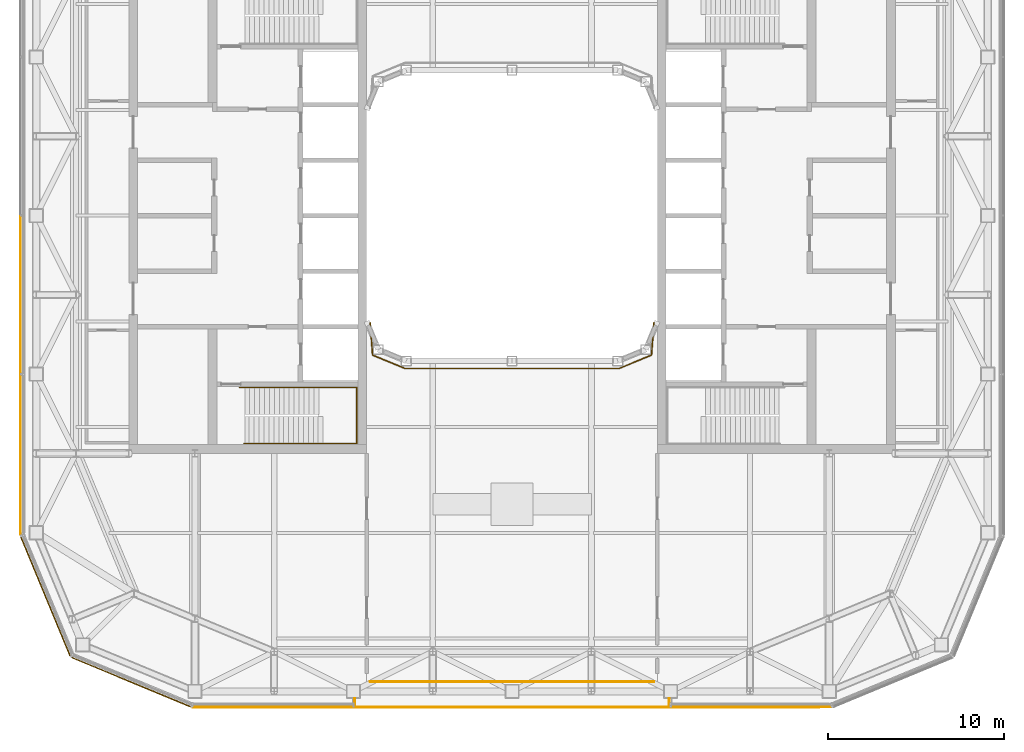
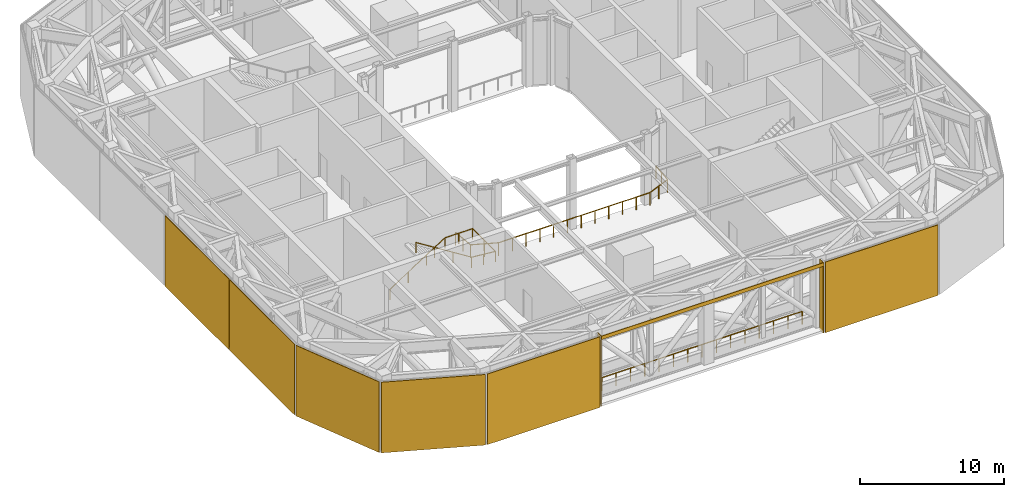
# One storey, part 18 of 21: 9 coverings, 3 railings.
"""IFC4 building model written with IfcOpenShell, lengths in metres."""

from ifc_helpers import new_model, si_unit, direction, frame, origin, origin_2d, place, context, subcontext, project, spatial, rectangle, circle, extrude, material, layer, layer_set, type_object, element, save


model = new_model("IFC4")

# Units and contexts
model_context = context("Model", 3, precision=1e-05, world=origin(), true_north=direction((0.0, 1.0)))
body_context = subcontext(model_context, "Body", "Model", "MODEL_VIEW")
ifc_project = project(units=[si_unit("LENGTHUNIT", "METRE"), si_unit("AREAUNIT", "SQUARE_METRE"), si_unit("VOLUMEUNIT", "CUBIC_METRE"), si_unit("PLANEANGLEUNIT", "RADIAN"), si_unit("MASSUNIT", "GRAM", prefix="KILO")], contexts=[model_context])

# Site, building, storey
site_placement = place(None, origin())
site = spatial("IfcSite", under=ifc_project, at=site_placement, CompositionType="ELEMENT")
building_placement = place(site_placement, origin())
building = spatial("IfcBuilding", under=site, at=building_placement, Name="Siwar Civic Tower", CompositionType="ELEMENT")
storey_placement = place(building_placement, frame((0.0, 0.0, 278.199951171875)))
storey = spatial("IfcBuildingStorey", under=building, at=storey_placement, Name="L60", CompositionType="ELEMENT", Elevation=278.199951171875)

# Railings
ifc_material_1 = material(Name="Stainless steel", Category="steel")
railing_type_1 = type_object("IfcRailingType", Name="CORE-STAIR-HANDRAIL", PredefinedType="HANDRAIL", material=ifc_material_1)
railing_1_placement = place(storey_placement, frame((-15.449951171875, -9.758056640625, 0.176513671875)))
element("IfcRailing", 1, at=railing_1_placement, inside=storey, type_object=railing_type_1, Name="Stair handrail ST2", PredefinedType="HANDRAIL", context=body_context, shape_type="SweptSolid", body=[
    extrude(circle(Radius=0.02001953125, at=origin_2d()), frame((0.0, 0.0, 0.8798828125), z_axis=(0.843278542751, 0.0, 0.537476789579), x_axis=(0.0, 1.0, 0.0)), (0.0, 0.0, 1.0), 5.253173828125),
    extrude(circle(Radius=0.02001953125, at=origin_2d()), frame((4.429931640625, 0.0, 3.703369140625), z_axis=(1.0, 0.0, 0.0), x_axis=(0.0, 1.0, 0.0)), (0.0, 0.0, 1.0), 2.2119140625),
    extrude(circle(Radius=0.02001953125, at=origin_2d()), frame((6.641845703125, 0.0, 3.703369140625), z_axis=(0.0, -1.0, 0.0), x_axis=(1.0, 0.0, 0.0)), (0.0, 0.0, 1.0), 3.183837890625),
    extrude(circle(Radius=0.02001953125, at=origin_2d()), frame((6.641845703125, -3.183837890625, 3.703369140625), z_axis=(-0.995765067396, 0.0, 0.091934381781), x_axis=(0.0, -1.0, 0.0)), (0.0, 0.0, 1.0), 1.919921875),
    extrude(circle(Radius=0.02001953125, at=origin_2d()), frame((4.72998046875, -3.183837890625, 3.8798828125), z_axis=(-0.845997938375, 0.0, 0.533186166611), x_axis=(0.0, -1.0, 0.0)), (0.0, 0.0, 1.0), 5.29541015625),
    extrude(circle(Radius=0.02001953125, at=origin_2d()), origin(), (0.0, 0.0, 1.0), 0.85986328125),
    extrude(circle(Radius=0.02001953125, at=origin_2d()), frame((1.4765625, 0.0, 0.941162109375)), (0.0, 0.0, 1.0), 0.85986328125),
    extrude(circle(Radius=0.02001953125, at=origin_2d()), frame((2.953369140625, 0.0, 1.88232421875)), (0.0, 0.0, 1.0), 0.85986328125),
    extrude(circle(Radius=0.02001953125, at=origin_2d()), frame((4.429931640625, 0.0, 2.823486328125)), (0.0, 0.0, 1.0), 0.85986328125),
    extrude(circle(Radius=0.02001953125, at=origin_2d()), frame((5.535888671875, 0.0, 2.823486328125)), (0.0, 0.0, 1.0), 0.85986328125),
    extrude(circle(Radius=0.02001953125, at=origin_2d()), frame((6.641845703125, 0.0, 2.823486328125)), (0.0, 0.0, 1.0), 0.85986328125),
    extrude(circle(Radius=0.02001953125, at=origin_2d()), frame((6.641845703125, -1.591796875, 2.823486328125)), (0.0, 0.0, 1.0), 0.85986328125),
    extrude(circle(Radius=0.02001953125, at=origin_2d()), frame((6.641845703125, -3.183837890625, 2.823486328125)), (0.0, 0.0, 1.0), 0.85986328125),
    extrude(circle(Radius=0.02001953125, at=origin_2d()), frame((5.68603515625, -3.183837890625, 2.91162109375)), (0.0, 0.0, 1.0), 0.85986328125),
    extrude(circle(Radius=0.02001953125, at=origin_2d()), frame((4.72998046875, -3.183837890625, 3.0)), (0.0, 0.0, 1.0), 0.85986328125),
    extrude(circle(Radius=0.02001953125, at=origin_2d()), frame((3.236572265625, -3.183837890625, 3.941162109375)), (0.0, 0.0, 1.0), 0.85986328125),
    extrude(circle(Radius=0.02001953125, at=origin_2d()), frame((1.743408203125, -3.183837890625, 4.88232421875)), (0.0, 0.0, 1.0), 0.85986328125),
    extrude(circle(Radius=0.02001953125, at=origin_2d()), frame((0.25, -3.183837890625, 5.823486328125)), (0.0, 0.0, 1.0), 0.85986328125),
])
ifc_material_2 = material(Name="Stainless steel 316", Category="steel")
railing_type_2 = type_object("IfcRailingType", Name="ENV-GUARD-ROOF", PredefinedType="GUARDRAIL", material=ifc_material_2)
railing_2_placement = place(storey_placement, frame((-8.050048828125, -26.449951171875, 0.0)))
element("IfcRailing", 2, at=railing_2_placement, inside=storey, type_object=railing_type_2, Name="Sky portal guard S outer edge", PredefinedType="GUARDRAIL", context=body_context, shape_type="SweptSolid", body=[
    extrude(circle(Radius=0.02392578125, at=origin_2d()), frame((0.0, 0.0, 1.076171875), z_axis=(1.0, 0.0, 0.0), x_axis=(0.0, 1.0, 0.0)), (0.0, 0.0, 1.0), 16.10009765625),
    extrude(circle(Radius=0.02099609375, at=origin_2d()), origin(), (0.0, 0.0, 1.0), 1.052001953125),
    extrude(circle(Radius=0.02099609375, at=origin_2d()), frame((1.14990234375, 0.0, 0.0)), (0.0, 0.0, 1.0), 1.052001953125),
    extrude(circle(Radius=0.02099609375, at=origin_2d()), frame((2.300048828125, 0.0, 0.0)), (0.0, 0.0, 1.0), 1.052001953125),
    extrude(circle(Radius=0.02099609375, at=origin_2d()), frame((3.449951171875, 0.0, 0.0)), (0.0, 0.0, 1.0), 1.052001953125),
    extrude(circle(Radius=0.02099609375, at=origin_2d()), frame((4.60009765625, 0.0, 0.0)), (0.0, 0.0, 1.0), 1.052001953125),
    extrude(circle(Radius=0.02099609375, at=origin_2d()), frame((5.75, 0.0, 0.0)), (0.0, 0.0, 1.0), 1.052001953125),
    extrude(circle(Radius=0.02099609375, at=origin_2d()), frame((6.900146484375, 0.0, 0.0)), (0.0, 0.0, 1.0), 1.052001953125),
    extrude(circle(Radius=0.02099609375, at=origin_2d()), frame((8.050048828125, 0.0, 0.0)), (0.0, 0.0, 1.0), 1.052001953125),
    extrude(circle(Radius=0.02099609375, at=origin_2d()), frame((9.199951171875, 0.0, 0.0)), (0.0, 0.0, 1.0), 1.052001953125),
    extrude(circle(Radius=0.02099609375, at=origin_2d()), frame((10.35009765625, 0.0, 0.0)), (0.0, 0.0, 1.0), 1.052001953125),
    extrude(circle(Radius=0.02099609375, at=origin_2d()), frame((11.5, 0.0, 0.0)), (0.0, 0.0, 1.0), 1.052001953125),
    extrude(circle(Radius=0.02099609375, at=origin_2d()), frame((12.650146484375, 0.0, 0.0)), (0.0, 0.0, 1.0), 1.052001953125),
    extrude(circle(Radius=0.02099609375, at=origin_2d()), frame((13.800048828125, 0.0, 0.0)), (0.0, 0.0, 1.0), 1.052001953125),
    extrude(circle(Radius=0.02099609375, at=origin_2d()), frame((14.9501953125, 0.0, 0.0)), (0.0, 0.0, 1.0), 1.052001953125),
    extrude(circle(Radius=0.02099609375, at=origin_2d()), frame((16.10009765625, 0.0, 0.0)), (0.0, 0.0, 1.0), 1.052001953125),
])
railing_3_placement = place(storey_placement, frame((-8.050048828125, -6.08447265625, 0.0)))
element("IfcRailing", 3, at=railing_3_placement, inside=storey, type_object=railing_type_2, Name="Sky portal guard S well edge", PredefinedType="GUARDRAIL", context=body_context, shape_type="SweptSolid", body=[
    extrude(circle(Radius=0.02392578125, at=origin_2d()), frame((0.0, 0.0, 1.076171875), z_axis=(0.072843419612, -0.997343389319, 0.0), x_axis=(0.997343389319, 0.072843419612, 0.0)), (0.0, 0.0, 1.0), 1.836669921875),
    extrude(circle(Radius=0.02392578125, at=origin_2d()), frame((0.1337890625, -1.831787109375, 1.076171875), z_axis=(0.923872756612, -0.382699790424, 0.0), x_axis=(0.382699790424, 0.923872756612, 0.0)), (0.0, 0.0, 1.0), 1.982666015625),
    extrude(circle(Radius=0.02392578125, at=origin_2d()), frame((1.965576171875, -2.590576171875, 1.076171875), z_axis=(1.0, 0.0, 0.0), x_axis=(0.0, 1.0, 0.0)), (0.0, 0.0, 1.0), 12.1689453125),
    extrude(circle(Radius=0.02392578125, at=origin_2d()), frame((14.134521484375, -2.590576171875, 1.076171875), z_axis=(0.923872756612, 0.382699790424, 0.0), x_axis=(-0.382699790424, 0.923872756612, 0.0)), (0.0, 0.0, 1.0), 1.982666015625),
    extrude(circle(Radius=0.02392578125, at=origin_2d()), frame((15.96630859375, -1.831787109375, 1.076171875), z_axis=(0.072843419612, 0.997343389319, 0.0), x_axis=(-0.997343389319, 0.072843419612, 0.0)), (0.0, 0.0, 1.0), 1.836669921875),
    extrude(circle(Radius=0.02099609375, at=origin_2d()), origin(), (0.0, 0.0, 1.0), 1.052001953125),
    extrude(circle(Radius=0.02099609375, at=origin_2d()), frame((0.06689453125, -0.916015625, 0.0)), (0.0, 0.0, 1.0), 1.052001953125),
    extrude(circle(Radius=0.02099609375, at=origin_2d()), frame((0.1337890625, -1.831787109375, 0.0)), (0.0, 0.0, 1.0), 1.052001953125),
    extrude(circle(Radius=0.02099609375, at=origin_2d()), frame((1.0498046875, -2.211181640625, 0.0)), (0.0, 0.0, 1.0), 1.052001953125),
    extrude(circle(Radius=0.02099609375, at=origin_2d()), frame((1.965576171875, -2.590576171875, 0.0)), (0.0, 0.0, 1.0), 1.052001953125),
    extrude(circle(Radius=0.02099609375, at=origin_2d()), frame((3.07177734375, -2.590576171875, 0.0)), (0.0, 0.0, 1.0), 1.052001953125),
    extrude(circle(Radius=0.02099609375, at=origin_2d()), frame((4.17822265625, -2.590576171875, 0.0)), (0.0, 0.0, 1.0), 1.052001953125),
    extrude(circle(Radius=0.02099609375, at=origin_2d()), frame((5.284423828125, -2.590576171875, 0.0)), (0.0, 0.0, 1.0), 1.052001953125),
    extrude(circle(Radius=0.02099609375, at=origin_2d()), frame((6.390625, -2.590576171875, 0.0)), (0.0, 0.0, 1.0), 1.052001953125),
    extrude(circle(Radius=0.02099609375, at=origin_2d()), frame((7.496826171875, -2.590576171875, 0.0)), (0.0, 0.0, 1.0), 1.052001953125),
    extrude(circle(Radius=0.02099609375, at=origin_2d()), frame((8.603271484375, -2.590576171875, 0.0)), (0.0, 0.0, 1.0), 1.052001953125),
    extrude(circle(Radius=0.02099609375, at=origin_2d()), frame((9.70947265625, -2.590576171875, 0.0)), (0.0, 0.0, 1.0), 1.052001953125),
    extrude(circle(Radius=0.02099609375, at=origin_2d()), frame((10.815673828125, -2.590576171875, 0.0)), (0.0, 0.0, 1.0), 1.052001953125),
    extrude(circle(Radius=0.02099609375, at=origin_2d()), frame((11.921875, -2.590576171875, 0.0)), (0.0, 0.0, 1.0), 1.052001953125),
    extrude(circle(Radius=0.02099609375, at=origin_2d()), frame((13.0283203125, -2.590576171875, 0.0)), (0.0, 0.0, 1.0), 1.052001953125),
    extrude(circle(Radius=0.02099609375, at=origin_2d()), frame((14.134521484375, -2.590576171875, 0.0)), (0.0, 0.0, 1.0), 1.052001953125),
    extrude(circle(Radius=0.02099609375, at=origin_2d()), frame((15.05029296875, -2.211181640625, 0.0)), (0.0, 0.0, 1.0), 1.052001953125),
    extrude(circle(Radius=0.02099609375, at=origin_2d()), frame((15.96630859375, -1.831787109375, 0.0)), (0.0, 0.0, 1.0), 1.052001953125),
    extrude(circle(Radius=0.02099609375, at=origin_2d()), frame((16.033203125, -0.916015625, 0.0)), (0.0, 0.0, 1.0), 1.052001953125),
    extrude(circle(Radius=0.02099609375, at=origin_2d()), frame((16.10009765625, 0.0, 0.0)), (0.0, 0.0, 1.0), 1.052001953125),
])

# Coverings
ifc_material_3 = material(Name="Perforated aluminium cassette, pale metal", Category="aluminium")
ifc_layer_1 = layer(ifc_material_3, 0.050048828125)
ifc_layer_set_1 = layer_set([ifc_layer_1], Name="Perforated aluminium cassette, pale metal")
covering_type_1 = type_object("IfcCoveringType", Name="ENV-OUTER SKIN OS-3", PredefinedType="CLADDING", material=ifc_layer_set_1)
covering_1_placement = place(storey_placement, frame((-27.89990234375, -4.5, -0.199951171875), z_axis=(0.0, 0.0, 1.0), x_axis=(0.0, -1.0, 0.0)))
element("IfcCovering", 4, at=covering_1_placement, inside=storey, type_object=covering_type_1, Name="OUTER SKIN OS-3 W 3", PredefinedType="CLADDING", context=body_context, shape_type="SweptSolid", body=[
    extrude(rectangle(XDim=8.89990234375, YDim=0.050048828125, at=origin_2d()), origin(), (0.0, 0.0, 1.0), 6.0),
])
covering_2_placement = place(storey_placement, frame((-27.89990234375, -13.57958984375, -0.199951171875), z_axis=(0.0, 0.0, 1.0), x_axis=(0.0, -1.0, 0.0)))
element("IfcCovering", 5, at=covering_2_placement, inside=storey, type_object=covering_type_1, Name="OUTER SKIN OS-3 W 4", PredefinedType="CLADDING", context=body_context, shape_type="SweptSolid", body=[
    extrude(rectangle(XDim=9.05908203125, YDim=0.050048828125, at=origin_2d()), origin(), (0.0, 0.0, 1.0), 6.0),
])
ifc_material_4 = material(Name="Perforated aluminium cassette, pale metal", Category="aluminium")
ifc_layer_2 = layer(ifc_material_4, 0.054931640625)
ifc_layer_set_2 = layer_set([ifc_layer_2], Name="Perforated aluminium cassette, pale metal")
covering_type_2 = type_object("IfcCoveringType", Name="ENV-OUTER SKIN OS-4", PredefinedType="CLADDING", material=ifc_layer_set_2)
for number, where, z_axis, x_axis, name in (
    (6, (-13.57958984375, -27.89990234375, -0.199951171875), (0.0, 0.0, 1.0), (1.0, 0.0, 0.0), "OUTER SKIN OS-4 S 1"),
    (7, (13.57958984375, -27.89990234375, -0.199951171875), (0.0, 0.0, 1.0), (1.0, 0.0, 0.0), "OUTER SKIN OS-4 S 4"),
):
    element("IfcCovering", number, at=place(storey_placement, frame(where, z_axis=z_axis, x_axis=x_axis)), inside=storey, type_object=covering_type_2, Name=name, PredefinedType="CLADDING", context=body_context, shape_type="SweptSolid", body=[
        extrude(rectangle(XDim=9.05908203125, YDim=0.054931640625, at=origin_2d()), origin(), (0.0, 0.0, 1.0), 6.0),
    ])
for number, where, z_axis, x_axis, name in (
    (8, (-26.476318359375, -21.615966796875, -0.199951171875), (0.0, 0.0, 1.0), (0.382683432365, -0.923879532511, 0.0), "OUTER SKIN OS-4 SW1 1"),
    (9, (-21.615966796875, -26.476318359375, -0.199951171875), (0.0, 0.0, 1.0), (0.923879532511, -0.382683432365, 0.0), "OUTER SKIN OS-4 SW2 1"),
):
    element("IfcCovering", number, at=place(storey_placement, frame(where, z_axis=z_axis, x_axis=x_axis)), inside=storey, type_object=covering_type_2, Name=name, PredefinedType="CLADDING", context=body_context, shape_type="SweptSolid", body=[
        extrude(rectangle(XDim=7.300048828125, YDim=0.054931640625, at=origin_2d()), origin(), (0.0, 0.0, 1.0), 6.0),
    ])
ifc_material_5 = material(Name="Perforated aluminium cassette, pale metal", Category="aluminium")
ifc_layer_3 = layer(ifc_material_5, 0.050048828125)
ifc_layer_set_3 = layer_set([ifc_layer_3], Name="Perforated aluminium cassette, pale metal")
covering_type_3 = type_object("IfcCoveringType", Name="ENV-PORTAL FRAME", PredefinedType="CLADDING", material=ifc_layer_set_3)
for number, where, z_axis, x_axis, name in (
    (10, (-8.925048828125, -27.639892578125, -0.199951171875), (0.0, 0.0, 1.0), (1.0, 0.0, 0.0), "PORTAL FRAME return plate S L60"),
    (11, (8.925048828125, -27.639892578125, -0.199951171875), (0.0, 0.0, 1.0), (1.0, 0.0, 0.0), "PORTAL FRAME return plate S L60"),
):
    element("IfcCovering", number, at=place(storey_placement, frame(where, z_axis=z_axis, x_axis=x_axis)), inside=storey, type_object=covering_type_3, Name=name, PredefinedType="CLADDING", context=body_context, shape_type="SweptSolid", body=[
        extrude(rectangle(XDim=0.050048828125, YDim=0.52001953125, at=origin_2d()), origin(), (0.0, 0.0, 1.0), 6.0),
    ])
covering_3_placement = place(storey_placement, frame((0.0, -27.89990234375, 5.5), z_axis=(0.0, 0.0, 1.0), x_axis=(1.0, 0.0, 0.0)))
element("IfcCovering", 12, at=covering_3_placement, inside=storey, type_object=covering_type_3, Name="PORTAL FRAME lintel S L60", PredefinedType="CLADDING", context=body_context, shape_type="SweptSolid", body=[
    extrude(rectangle(XDim=17.89990234375, YDim=0.050048828125, at=origin_2d()), origin(), (0.0, 0.0, 1.0), 0.300048828125),
])

save(model, "model.ifc")
